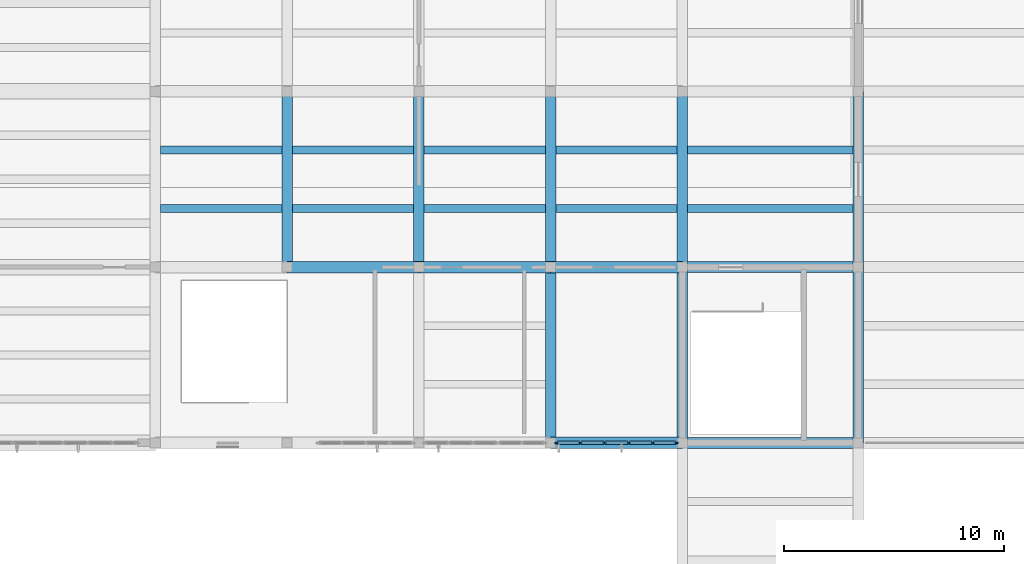
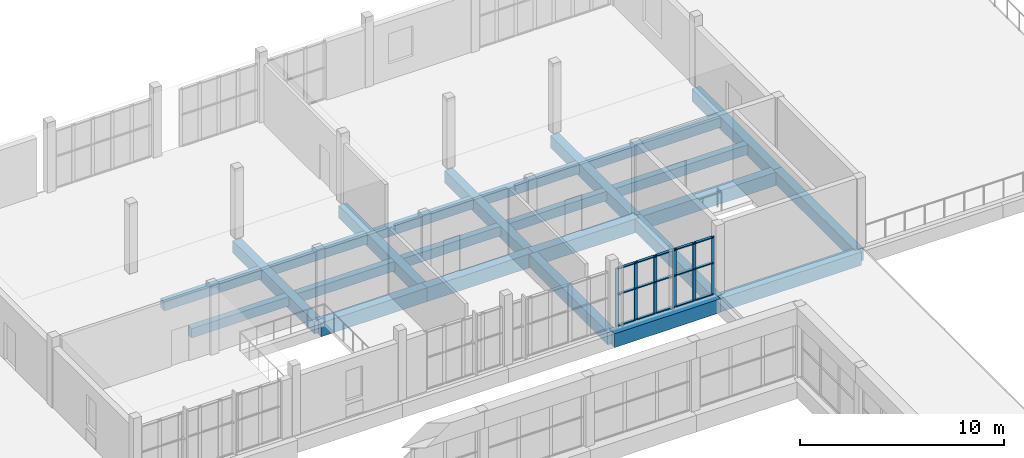
# One storey, part 27 of 70: 24 beams, 21 members, 1 element without a shape of its own.
"""IFC4 building model written with IfcOpenShell, lengths in metres."""

from ifc_helpers import new_model, si_unit, direction, frame, origin, origin_2d, place, context, subcontext, project, spatial, rectangle, extrude, material, layer, layer_set, material_profile, profile_set, type_object, element, aggregate, save


model = new_model("IFC4")

# Units and contexts
model_context = context("Model", 3, precision=1e-05, world=origin(), true_north=direction((0.0, 1.0)))
body_context = subcontext(model_context, "Body", "Model", "MODEL_VIEW")
ifc_project = project(units=[si_unit("LENGTHUNIT", "METRE"), si_unit("AREAUNIT", "SQUARE_METRE"), si_unit("VOLUMEUNIT", "CUBIC_METRE"), si_unit("PLANEANGLEUNIT", "RADIAN"), si_unit("MASSUNIT", "GRAM", prefix="KILO")], contexts=[model_context])

# Site, building, storey
site_placement = place(None, origin())
site = spatial("IfcSite", under=ifc_project, at=site_placement, CompositionType="ELEMENT")
building_placement = place(site_placement, origin())
building = spatial("IfcBuilding", under=site, at=building_placement, Name="Solvane Community Centre", CompositionType="ELEMENT")
storey_placement = place(building_placement, frame((0.0, 0.0, 9.60009765625)))
storey = spatial("IfcBuildingStorey", under=building, at=storey_placement, Name="L02", CompositionType="ELEMENT", Elevation=9.60009765625)

# Curtain wall, members
ifc_material_1 = material(Name="Anodised bronze aluminium AW-6063 T6", Category="aluminium")
ifc_layer = layer(ifc_material_1, 0.18994140625)
ifc_layer_set = layer_set([ifc_layer], Name="Anodised bronze aluminium AW-6063 T6")
curtain_wall_type = type_object("IfcCurtainWallType", Name="Boulevard Bronze Vision Curtain Wall [55x35dm]", PredefinedType="NOTDEFINED", material=ifc_layer_set)
curtain_wall_placement = place(storey_placement, origin())
curtain_wall = element("IfcCurtainWall", 1, at=curtain_wall_placement, inside=storey, type_object=curtain_wall_type, Name="Curtain Wall CW-L02-598_860-210", PredefinedType="NOTDEFINED")
ifc_material_profile_1 = material_profile(ifc_material_1, rectangle(XDim=0.06005859375, YDim=0.18994140625, at=origin_2d()), Name="CW-M 60x190")
ifc_profile_set_1 = profile_set([ifc_material_profile_1], Name="Anodised bronze aluminium AW-6063 T6")
member_type_1 = type_object("IfcMemberType", Name="Boulevard Mullion 60x190", PredefinedType="MULLION", material=ifc_profile_set_1)
member_1_placement = place(storey_placement, frame((59.72509765625, 86.0, 0.0), z_axis=(0.0, 0.0, 1.0), x_axis=(0.0, -1.0, 0.0)))
member_1 = element("IfcMember", 2, at=member_1_placement, type_object=member_type_1, Name="CW02-55x35 mullion 1", PredefinedType="MULLION", context=body_context, shape_type="SweptSolid", body=[
    extrude(rectangle(XDim=0.06005859375, YDim=0.18994140625, at=origin_2d()), origin(), (0.0, 0.0, 1.0), 3.46484375),
])
member_2_placement = place(storey_placement, frame((58.653076171875, 86.0, 0.0), z_axis=(0.0, 0.0, 1.0), x_axis=(0.0, -1.0, 0.0)))
member_2 = element("IfcMember", 3, at=member_2_placement, type_object=member_type_1, Name="CW02-55x35 mullion 2", PredefinedType="MULLION", context=body_context, shape_type="SweptSolid", body=[
    extrude(rectangle(XDim=0.06005859375, YDim=0.18994140625, at=origin_2d()), origin(), (0.0, 0.0, 1.0), 3.46484375),
])
member_3_placement = place(storey_placement, frame((57.551025390625, 86.0, 0.0), z_axis=(0.0, 0.0, 1.0), x_axis=(0.0, -1.0, 0.0)))
member_3 = element("IfcMember", 4, at=member_3_placement, type_object=member_type_1, Name="CW02-55x35 mullion 3", PredefinedType="MULLION", context=body_context, shape_type="SweptSolid", body=[
    extrude(rectangle(XDim=0.06005859375, YDim=0.18994140625, at=origin_2d()), origin(), (0.0, 0.0, 1.0), 3.46484375),
])
member_4_placement = place(storey_placement, frame((56.448974609375, 86.0, 0.0), z_axis=(0.0, 0.0, 1.0), x_axis=(0.0, -1.0, 0.0)))
member_4 = element("IfcMember", 5, at=member_4_placement, type_object=member_type_1, Name="CW02-55x35 mullion 4", PredefinedType="MULLION", context=body_context, shape_type="SweptSolid", body=[
    extrude(rectangle(XDim=0.06005859375, YDim=0.18994140625, at=origin_2d()), origin(), (0.0, 0.0, 1.0), 3.46484375),
])
member_5_placement = place(storey_placement, frame((55.346923828125, 86.0, 0.0), z_axis=(0.0, 0.0, 1.0), x_axis=(0.0, -1.0, 0.0)))
member_5 = element("IfcMember", 6, at=member_5_placement, type_object=member_type_1, Name="CW02-55x35 mullion 5", PredefinedType="MULLION", context=body_context, shape_type="SweptSolid", body=[
    extrude(rectangle(XDim=0.06005859375, YDim=0.18994140625, at=origin_2d()), origin(), (0.0, 0.0, 1.0), 3.46484375),
])
member_6_placement = place(storey_placement, frame((54.27490234375, 86.0, 0.0), z_axis=(0.0, 0.0, 1.0), x_axis=(0.0, -1.0, 0.0)))
member_6 = element("IfcMember", 7, at=member_6_placement, type_object=member_type_1, Name="CW02-55x35 mullion 6", PredefinedType="MULLION", context=body_context, shape_type="SweptSolid", body=[
    extrude(rectangle(XDim=0.06005859375, YDim=0.18994140625, at=origin_2d()), origin(), (0.0, 0.0, 1.0), 3.46484375),
])
ifc_material_profile_2 = material_profile(ifc_material_1, rectangle(XDim=0.14990234375, YDim=0.06005859375, at=origin_2d()), Name="CW-T 60x150")
ifc_profile_set_2 = profile_set([ifc_material_profile_2], Name="Anodised bronze aluminium AW-6063 T6")
member_type_2 = type_object("IfcMemberType", Name="Boulevard Transom 60x150", PredefinedType="USERDEFINED", material=ifc_profile_set_2)
member_7_placement = place(storey_placement, frame((59.695068359375, 86.0, 0.02978515625), z_axis=(-1.0, 0.0, 0.0), x_axis=(0.0, -1.0, 0.0)))
member_7 = element("IfcMember", 8, at=member_7_placement, type_object=member_type_2, Name="CW02-55x35 transom 1.1", ObjectType="TRANSOM", PredefinedType="USERDEFINED", context=body_context, shape_type="SweptSolid", body=[
    extrude(rectangle(XDim=0.14990234375, YDim=0.06005859375, at=origin_2d()), origin(), (0.0, 0.0, 1.0), 1.011962890625),
])
member_8_placement = place(storey_placement, frame((59.695068359375, 86.0, 1.906005859375), z_axis=(-1.0, 0.0, 0.0), x_axis=(0.0, -1.0, 0.0)))
member_8 = element("IfcMember", 9, at=member_8_placement, type_object=member_type_2, Name="CW02-55x35 transom 1.2", ObjectType="TRANSOM", PredefinedType="USERDEFINED", context=body_context, shape_type="SweptSolid", body=[
    extrude(rectangle(XDim=0.14990234375, YDim=0.06005859375, at=origin_2d()), origin(), (0.0, 0.0, 1.0), 1.011962890625),
])
member_9_placement = place(storey_placement, frame((59.695068359375, 86.0, 3.434814453125), z_axis=(-1.0, 0.0, 0.0), x_axis=(0.0, -1.0, 0.0)))
member_9 = element("IfcMember", 10, at=member_9_placement, type_object=member_type_2, Name="CW02-55x35 transom 1.3", ObjectType="TRANSOM", PredefinedType="USERDEFINED", context=body_context, shape_type="SweptSolid", body=[
    extrude(rectangle(XDim=0.14990234375, YDim=0.06005859375, at=origin_2d()), origin(), (0.0, 0.0, 1.0), 1.011962890625),
])
member_10_placement = place(storey_placement, frame((58.623046875, 86.0, 0.02978515625), z_axis=(-1.0, 0.0, 0.0), x_axis=(0.0, -1.0, 0.0)))
member_10 = element("IfcMember", 11, at=member_10_placement, type_object=member_type_2, Name="CW02-55x35 transom 2.1", ObjectType="TRANSOM", PredefinedType="USERDEFINED", context=body_context, shape_type="SweptSolid", body=[
    extrude(rectangle(XDim=0.14990234375, YDim=0.06005859375, at=origin_2d()), origin(), (0.0, 0.0, 1.0), 1.0419921875),
])
member_11_placement = place(storey_placement, frame((58.623046875, 86.0, 1.906005859375), z_axis=(-1.0, 0.0, 0.0), x_axis=(0.0, -1.0, 0.0)))
member_11 = element("IfcMember", 12, at=member_11_placement, type_object=member_type_2, Name="CW02-55x35 transom 2.2", ObjectType="TRANSOM", PredefinedType="USERDEFINED", context=body_context, shape_type="SweptSolid", body=[
    extrude(rectangle(XDim=0.14990234375, YDim=0.06005859375, at=origin_2d()), origin(), (0.0, 0.0, 1.0), 1.0419921875),
])
member_12_placement = place(storey_placement, frame((58.623046875, 86.0, 3.434814453125), z_axis=(-1.0, 0.0, 0.0), x_axis=(0.0, -1.0, 0.0)))
member_12 = element("IfcMember", 13, at=member_12_placement, type_object=member_type_2, Name="CW02-55x35 transom 2.3", ObjectType="TRANSOM", PredefinedType="USERDEFINED", context=body_context, shape_type="SweptSolid", body=[
    extrude(rectangle(XDim=0.14990234375, YDim=0.06005859375, at=origin_2d()), origin(), (0.0, 0.0, 1.0), 1.0419921875),
])
member_13_placement = place(storey_placement, frame((57.52099609375, 86.0, 0.02978515625), z_axis=(-1.0, 0.0, 0.0), x_axis=(0.0, -1.0, 0.0)))
member_13 = element("IfcMember", 14, at=member_13_placement, type_object=member_type_2, Name="CW02-55x35 transom 3.1", ObjectType="TRANSOM", PredefinedType="USERDEFINED", context=body_context, shape_type="SweptSolid", body=[
    extrude(rectangle(XDim=0.14990234375, YDim=0.06005859375, at=origin_2d()), origin(), (0.0, 0.0, 1.0), 1.0419921875),
])
member_14_placement = place(storey_placement, frame((57.52099609375, 86.0, 1.906005859375), z_axis=(-1.0, 0.0, 0.0), x_axis=(0.0, -1.0, 0.0)))
member_14 = element("IfcMember", 15, at=member_14_placement, type_object=member_type_2, Name="CW02-55x35 transom 3.2", ObjectType="TRANSOM", PredefinedType="USERDEFINED", context=body_context, shape_type="SweptSolid", body=[
    extrude(rectangle(XDim=0.14990234375, YDim=0.06005859375, at=origin_2d()), origin(), (0.0, 0.0, 1.0), 1.0419921875),
])
member_15_placement = place(storey_placement, frame((57.52099609375, 86.0, 3.434814453125), z_axis=(-1.0, 0.0, 0.0), x_axis=(0.0, -1.0, 0.0)))
member_15 = element("IfcMember", 16, at=member_15_placement, type_object=member_type_2, Name="CW02-55x35 transom 3.3", ObjectType="TRANSOM", PredefinedType="USERDEFINED", context=body_context, shape_type="SweptSolid", body=[
    extrude(rectangle(XDim=0.14990234375, YDim=0.06005859375, at=origin_2d()), origin(), (0.0, 0.0, 1.0), 1.0419921875),
])
member_16_placement = place(storey_placement, frame((56.4189453125, 86.0, 0.02978515625), z_axis=(-1.0, 0.0, 0.0), x_axis=(0.0, -1.0, 0.0)))
member_16 = element("IfcMember", 17, at=member_16_placement, type_object=member_type_2, Name="CW02-55x35 transom 4.1", ObjectType="TRANSOM", PredefinedType="USERDEFINED", context=body_context, shape_type="SweptSolid", body=[
    extrude(rectangle(XDim=0.14990234375, YDim=0.06005859375, at=origin_2d()), origin(), (0.0, 0.0, 1.0), 1.0419921875),
])
member_17_placement = place(storey_placement, frame((56.4189453125, 86.0, 1.906005859375), z_axis=(-1.0, 0.0, 0.0), x_axis=(0.0, -1.0, 0.0)))
member_17 = element("IfcMember", 18, at=member_17_placement, type_object=member_type_2, Name="CW02-55x35 transom 4.2", ObjectType="TRANSOM", PredefinedType="USERDEFINED", context=body_context, shape_type="SweptSolid", body=[
    extrude(rectangle(XDim=0.14990234375, YDim=0.06005859375, at=origin_2d()), origin(), (0.0, 0.0, 1.0), 1.0419921875),
])
member_18_placement = place(storey_placement, frame((56.4189453125, 86.0, 3.434814453125), z_axis=(-1.0, 0.0, 0.0), x_axis=(0.0, -1.0, 0.0)))
member_18 = element("IfcMember", 19, at=member_18_placement, type_object=member_type_2, Name="CW02-55x35 transom 4.3", ObjectType="TRANSOM", PredefinedType="USERDEFINED", context=body_context, shape_type="SweptSolid", body=[
    extrude(rectangle(XDim=0.14990234375, YDim=0.06005859375, at=origin_2d()), origin(), (0.0, 0.0, 1.0), 1.0419921875),
])
member_19_placement = place(storey_placement, frame((55.31689453125, 86.0, 0.02978515625), z_axis=(-1.0, 0.0, 0.0), x_axis=(0.0, -1.0, 0.0)))
member_19 = element("IfcMember", 20, at=member_19_placement, type_object=member_type_2, Name="CW02-55x35 transom 5.1", ObjectType="TRANSOM", PredefinedType="USERDEFINED", context=body_context, shape_type="SweptSolid", body=[
    extrude(rectangle(XDim=0.14990234375, YDim=0.06005859375, at=origin_2d()), origin(), (0.0, 0.0, 1.0), 1.011962890625),
])
member_20_placement = place(storey_placement, frame((55.31689453125, 86.0, 1.906005859375), z_axis=(-1.0, 0.0, 0.0), x_axis=(0.0, -1.0, 0.0)))
member_20 = element("IfcMember", 21, at=member_20_placement, type_object=member_type_2, Name="CW02-55x35 transom 5.2", ObjectType="TRANSOM", PredefinedType="USERDEFINED", context=body_context, shape_type="SweptSolid", body=[
    extrude(rectangle(XDim=0.14990234375, YDim=0.06005859375, at=origin_2d()), origin(), (0.0, 0.0, 1.0), 1.011962890625),
])
member_21_placement = place(storey_placement, frame((55.31689453125, 86.0, 3.434814453125), z_axis=(-1.0, 0.0, 0.0), x_axis=(0.0, -1.0, 0.0)))
member_21 = element("IfcMember", 22, at=member_21_placement, type_object=member_type_2, Name="CW02-55x35 transom 5.3", ObjectType="TRANSOM", PredefinedType="USERDEFINED", context=body_context, shape_type="SweptSolid", body=[
    extrude(rectangle(XDim=0.14990234375, YDim=0.06005859375, at=origin_2d()), origin(), (0.0, 0.0, 1.0), 1.011962890625),
])
aggregate(curtain_wall, [member_1, member_2, member_3, member_4, member_5, member_6, member_7, member_8, member_9, member_10, member_11, member_12, member_13, member_14, member_15, member_16, member_17, member_18, member_19, member_20, member_21])

# Beams
ifc_material_2 = material(Name="Concrete C35/45", Category="concrete")
ifc_material_profile_3 = material_profile(ifc_material_2, rectangle(XDim=0.47998046875, YDim=0.739990234375, at=origin_2d()), Name="RC 480x740")
ifc_profile_set_3 = profile_set([ifc_material_profile_3], Name="Concrete C35/45")
beam_type_1 = type_object("IfcBeamType", Name="RC Bay Beam 480x740", PredefinedType="BEAM", material=ifc_profile_set_3)
for number, where, z_axis, x_axis, name in (
    (23, (42.0, 94.0, -0.590087890625), (0.0, 1.0, 0.0), (-1.0, 0.0, 0.0), "Beam BM-L02-420_940-420_1020"),
    (24, (48.0, 94.0, -0.590087890625), (0.0, 1.0, 0.0), (-1.0, 0.0, 0.0), "Beam BM-L02-480_940-480_1020"),
    (25, (54.0, 86.0, -0.590087890625), (0.0, 1.0, 0.0), (-1.0, 0.0, 0.0), "Beam BM-L02-540_860-540_940"),
    (26, (54.0, 94.0, -0.590087890625), (0.0, 1.0, 0.0), (-1.0, 0.0, 0.0), "Beam BM-L02-540_940-540_1020"),
    (27, (60.0, 86.0, -0.590087890625), (0.0, 1.0, 0.0), (-1.0, 0.0, 0.0), "Beam BM-L02-600_860-600_940"),
    (28, (60.0, 94.0, -0.590087890625), (0.0, 1.0, 0.0), (-1.0, 0.0, 0.0), "Beam BM-L02-600_940-600_1020"),
    (29, (68.0, 86.0, -0.590087890625), (0.0, 1.0, 0.0), (-1.0, 0.0, 0.0), "Beam BM-L02-680_860-680_940"),
    (30, (68.0, 94.0, -0.590087890625), (0.0, 1.0, 0.0), (-1.0, 0.0, 0.0), "Beam BM-L02-680_940-680_1020"),
):
    element("IfcBeam", number, at=place(storey_placement, frame(where, z_axis=z_axis, x_axis=x_axis)), inside=storey, type_object=beam_type_1, Name=name, PredefinedType="BEAM", context=body_context, shape_type="SweptSolid", body=[
        extrude(rectangle(XDim=0.47998046875, YDim=0.739990234375, at=origin_2d()), origin(), (0.0, 0.0, 1.0), 8.0),
    ])
ifc_material_profile_4 = material_profile(ifc_material_2, rectangle(XDim=0.52001953125, YDim=0.830078125, at=origin_2d()), Name="RC 520x830")
ifc_profile_set_4 = profile_set([ifc_material_profile_4], Name="Concrete C35/45")
beam_type_2 = type_object("IfcBeamType", Name="RC Medium Girder 520x830", PredefinedType="USERDEFINED", material=ifc_profile_set_4)
for number, where, z_axis, x_axis, name in (
    (31, (54.0, 86.0, -0.635009765625), (1.0, 0.0, 0.0), (0.0, 1.0, 0.0), "Beam BM-L02-540_860-600_860"),
    (32, (42.0, 94.0, -0.635009765625), (1.0, 0.0, 0.0), (0.0, 1.0, 0.0), "Beam BM-L02-420_940-480_940"),
    (33, (48.0, 94.0, -0.635009765625), (1.0, 0.0, 0.0), (0.0, 1.0, 0.0), "Beam BM-L02-480_940-540_940"),
    (34, (54.0, 94.0, -0.635009765625), (1.0, 0.0, 0.0), (0.0, 1.0, 0.0), "Beam BM-L02-540_940-600_940"),
):
    element("IfcBeam", number, at=place(storey_placement, frame(where, z_axis=z_axis, x_axis=x_axis)), inside=storey, type_object=beam_type_2, Name=name, ObjectType="GIRDER", PredefinedType="USERDEFINED", context=body_context, shape_type="SweptSolid", body=[
        extrude(rectangle(XDim=0.52001953125, YDim=0.830078125, at=origin_2d()), origin(), (0.0, 0.0, 1.0), 6.0),
    ])
ifc_material_profile_5 = material_profile(ifc_material_2, rectangle(XDim=0.5, YDim=0.800048828125, at=origin_2d()), Name="RC 500x800")
ifc_profile_set_5 = profile_set([ifc_material_profile_5], Name="Concrete C35/45")
beam_type_3 = type_object("IfcBeamType", Name="RC Primary Girder 500x800", PredefinedType="USERDEFINED", material=ifc_profile_set_5)
for number, where, z_axis, x_axis, name in (
    (35, (60.0, 86.0, -0.6201171875), (1.0, 0.0, 0.0), (0.0, 1.0, 0.0), "Beam BM-L02-600_860-680_860"),
    (36, (60.0, 94.0, -0.6201171875), (1.0, 0.0, 0.0), (0.0, 1.0, 0.0), "Beam BM-L02-600_940-680_940"),
):
    element("IfcBeam", number, at=place(storey_placement, frame(where, z_axis=z_axis, x_axis=x_axis)), inside=storey, type_object=beam_type_3, Name=name, ObjectType="GIRDER", PredefinedType="USERDEFINED", context=body_context, shape_type="SweptSolid", body=[
        extrude(rectangle(XDim=0.5, YDim=0.800048828125, at=origin_2d()), origin(), (0.0, 0.0, 1.0), 8.0),
    ])
ifc_material_profile_6 = material_profile(ifc_material_2, rectangle(XDim=0.3798828125, YDim=0.580078125, at=origin_2d()), Name="RC 380x580")
ifc_profile_set_6 = profile_set([ifc_material_profile_6], Name="Concrete C35/45")
beam_type_4 = type_object("IfcBeamType", Name="RC Short Joist 380x580", PredefinedType="JOIST", material=ifc_profile_set_6)
for number, where, z_axis, x_axis, name in (
    (37, (60.239990234375, 96.666748046875, -0.510009765625), (1.0, 0.0, 0.0), (0.0, 1.0, 0.0), "Beam BM-L02-602_967-678_967"),
    (38, (60.239990234375, 99.333251953125, -0.510009765625), (1.0, 0.0, 0.0), (0.0, 1.0, 0.0), "Beam BM-L02-602_993-678_993"),
):
    element("IfcBeam", number, at=place(storey_placement, frame(where, z_axis=z_axis, x_axis=x_axis)), inside=storey, type_object=beam_type_4, Name=name, PredefinedType="JOIST", context=body_context, shape_type="SweptSolid", body=[
        extrude(rectangle(XDim=0.3798828125, YDim=0.580078125, at=origin_2d()), origin(), (0.0, 0.0, 1.0), 7.52001953125),
    ])
ifc_material_profile_7 = material_profile(ifc_material_2, rectangle(XDim=0.360107421875, YDim=0.56005859375, at=origin_2d()), Name="RC 360x560")
ifc_profile_set_7 = profile_set([ifc_material_profile_7], Name="Concrete C35/45")
beam_type_5 = type_object("IfcBeamType", Name="RC Terrace Joist 360x560", PredefinedType="JOIST", material=ifc_profile_set_7)
for number, where, z_axis, x_axis, name in (
    (39, (36.239990234375, 96.666748046875, -0.5), (1.0, 0.0, 0.0), (0.0, 1.0, 0.0), "Beam BM-L02-362_967-418_967"),
    (40, (36.239990234375, 99.333251953125, -0.5), (1.0, 0.0, 0.0), (0.0, 1.0, 0.0), "Beam BM-L02-362_993-418_993"),
    (41, (42.239990234375, 96.666748046875, -0.5), (1.0, 0.0, 0.0), (0.0, 1.0, 0.0), "Beam BM-L02-422_967-478_967"),
    (42, (42.239990234375, 99.333251953125, -0.5), (1.0, 0.0, 0.0), (0.0, 1.0, 0.0), "Beam BM-L02-422_993-478_993"),
    (43, (48.239990234375, 96.666748046875, -0.5), (1.0, 0.0, 0.0), (0.0, 1.0, 0.0), "Beam BM-L02-482_967-538_967"),
    (44, (48.239990234375, 99.333251953125, -0.5), (1.0, 0.0, 0.0), (0.0, 1.0, 0.0), "Beam BM-L02-482_993-538_993"),
    (45, (54.239990234375, 96.666748046875, -0.5), (1.0, 0.0, 0.0), (0.0, 1.0, 0.0), "Beam BM-L02-542_967-598_967"),
    (46, (54.239990234375, 99.333251953125, -0.5), (1.0, 0.0, 0.0), (0.0, 1.0, 0.0), "Beam BM-L02-542_993-598_993"),
):
    element("IfcBeam", number, at=place(storey_placement, frame(where, z_axis=z_axis, x_axis=x_axis)), inside=storey, type_object=beam_type_5, Name=name, PredefinedType="JOIST", context=body_context, shape_type="SweptSolid", body=[
        extrude(rectangle(XDim=0.360107421875, YDim=0.56005859375, at=origin_2d()), origin(), (0.0, 0.0, 1.0), 5.52001953125),
    ])

save(model, "model.ifc")
